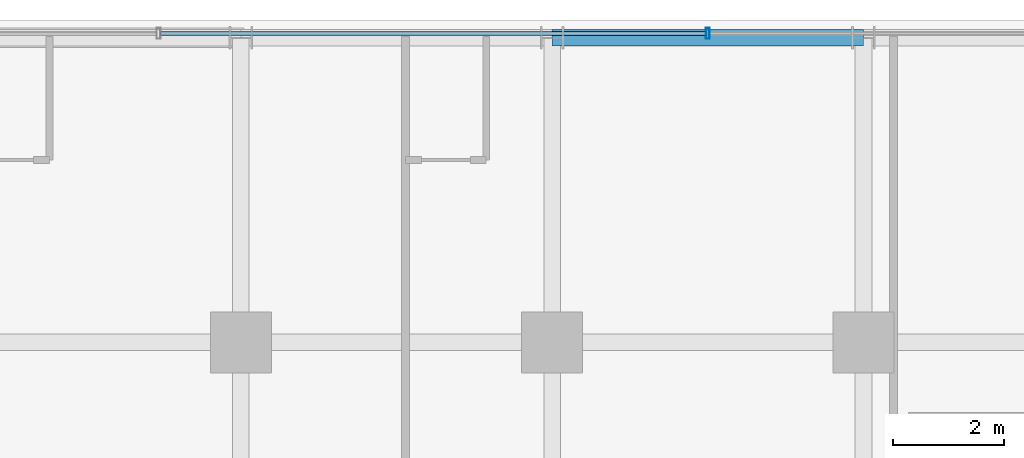
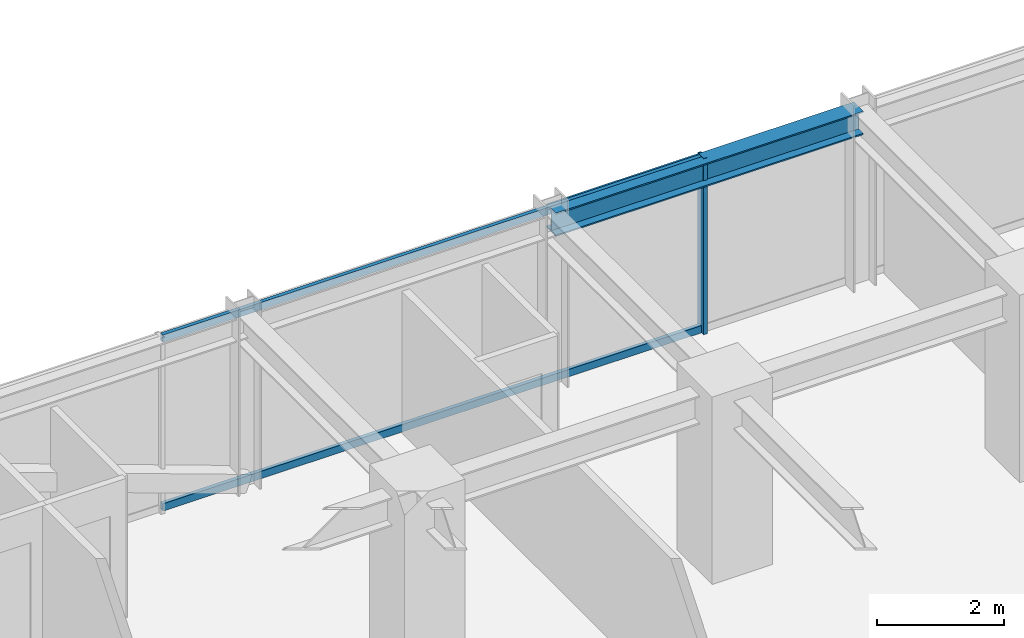
# One storey, part 24 of 38: 3 members, 1 beam, 1 element without a shape of its own.
"""IFC4 building model written with IfcOpenShell, lengths in metres."""

from ifc_helpers import new_model, si_unit, direction, frame, origin, origin_2d, place, context, subcontext, project, spatial, hollow_rectangle, i_section, extrude, source, transform, mapped, material, material_profile, profile_set, type_object, element, aggregate, save


model = new_model("IFC4")

# Units and contexts
model_context = context("Model", 3, precision=1e-05, world=origin(), true_north=direction((0.0, 1.0)))
body_context = subcontext(model_context, "Body", "Model", "MODEL_VIEW")
ifc_project = project(units=[si_unit("LENGTHUNIT", "METRE"), si_unit("AREAUNIT", "SQUARE_METRE"), si_unit("VOLUMEUNIT", "CUBIC_METRE"), si_unit("PLANEANGLEUNIT", "RADIAN"), si_unit("MASSUNIT", "GRAM", prefix="KILO")], contexts=[model_context])

# Site, building, storey
site_placement = place(None, origin())
site = spatial("IfcSite", under=ifc_project, at=site_placement, CompositionType="ELEMENT")
building_placement = place(site_placement, origin())
building = spatial("IfcBuilding", under=site, at=building_placement, Name="Nahalor Promenade Grand Hotel", CompositionType="ELEMENT")
storey_placement = place(building_placement, frame((0.0, 0.0, 163.60009765625)))
storey = spatial("IfcBuildingStorey", under=building, at=storey_placement, Name="L41", CompositionType="ELEMENT", Elevation=163.60009765625)

# Beam
ifc_material_1 = material(Name="Steel S355JR", Category="steel")
ifc_material_profile_1 = material_profile(ifc_material_1, i_section(OverallWidth=0.3, OverallDepth=0.45, WebThickness=0.014, FlangeThickness=0.026, at=origin_2d()), Name="HEB 450")
ifc_profile_set_1 = profile_set([ifc_material_profile_1], Name="Steel S355JR")
beam_type = type_object("IfcBeamType", Name="Beam-Spandrel-HEB450", PredefinedType="SPANDREL", material=ifc_profile_set_1)
shared_shape_1 = source(origin(), body_context, "Body", "SweptSolid", [
    extrude(i_section(OverallWidth=0.3, OverallDepth=0.45, WebThickness=0.014, FlangeThickness=0.026, at=origin_2d()), origin(), (0.0, 0.0, 1.0), 5.60009765625),
])
beam_placement = place(storey_placement, frame((-2.800048828125, 22.47998046875, 3.164794921875), z_axis=(1.0, 0.0, 0.0), x_axis=(0.0, 1.0, 0.0)))
element("IfcBeam", 1, at=beam_placement, inside=storey, type_object=beam_type, Name="BM-L41-SP-N-2", PredefinedType="SPANDREL", context=body_context, shape_type="MappedRepresentation", body=[
    mapped(shared_shape_1, transform((0.0, 0.0, 0.0), scale=1.0)),
])

# Curtain wall, members
ifc_material_2 = material(Name="Anodised Bronze Aluminium EN AW-6063 T6", Category="aluminium")
curtain_wall_type = type_object("IfcCurtainWallType", Name="CW3 Elliptical-Void Collar Unitised Curtain Wall", PredefinedType="USERDEFINED", material=ifc_material_2)
curtain_wall_placement = place(storey_placement, origin())
curtain_wall = element("IfcCurtainWall", 2, at=curtain_wall_placement, inside=storey, type_object=curtain_wall_type, Name="L41 Curtain Wall CW-L41-N-1", ObjectType="UNITISED_CURTAIN_WALL", PredefinedType="USERDEFINED")
ifc_material_profile_2 = material_profile(ifc_material_2, hollow_rectangle(XDim=0.07, YDim=0.14, WallThickness=0.004, at=origin_2d()), Name="CWT 70x140x4")
ifc_profile_set_2 = profile_set([ifc_material_profile_2], Name="Anodised Bronze Aluminium EN AW-6063 T6")
member_type_1 = type_object("IfcMemberType", Name="CWT3 Void Collar Transom 70x140", PredefinedType="USERDEFINED", material=ifc_profile_set_2)
shared_shape_2 = source(origin(), body_context, "Body", "SweptSolid", [
    extrude(hollow_rectangle(XDim=0.07, YDim=0.14, WallThickness=0.004, at=origin_2d()), origin(), (0.0, 0.0, 1.0), 9.81005859375),
])
member_1_placement = place(storey_placement, frame((-9.844970703125, 22.56005859375, 0.06982421875), z_axis=(1.0, 0.0, 0.0), x_axis=(0.0, 1.0, 0.0)))
member_1 = element("IfcMember", 3, at=member_1_placement, type_object=member_type_1, Name="CW-L41-N-1 Transom 1-0", ObjectType="TRANSOM", PredefinedType="USERDEFINED", context=body_context, shape_type="MappedRepresentation", body=[
    mapped(shared_shape_2, transform((0.0, 0.0, 0.0), scale=1.0)),
])
member_2_placement = place(storey_placement, frame((-9.844970703125, 22.56005859375, 3.31982421875), z_axis=(1.0, 0.0, 0.0), x_axis=(0.0, 1.0, 0.0)))
member_2 = element("IfcMember", 4, at=member_2_placement, type_object=member_type_1, Name="CW-L41-N-1 Transom 1-1", ObjectType="TRANSOM", PredefinedType="USERDEFINED", context=body_context, shape_type="MappedRepresentation", body=[
    mapped(shared_shape_2, transform((0.0, 0.0, 0.0), scale=1.0)),
])
ifc_material_profile_3 = material_profile(ifc_material_2, hollow_rectangle(XDim=0.07, YDim=0.2, WallThickness=0.005, at=origin_2d()), Name="CWM 70x200x5")
ifc_profile_set_3 = profile_set([ifc_material_profile_3], Name="Anodised Bronze Aluminium EN AW-6063 T6")
member_type_2 = type_object("IfcMemberType", Name="CWM3 Void Collar Mullion 70x200", PredefinedType="MULLION", material=ifc_profile_set_3)
shared_shape_3 = source(origin(), body_context, "Body", "SweptSolid", [
    extrude(hollow_rectangle(XDim=0.07, YDim=0.2, WallThickness=0.005, at=origin_2d()), origin(), (0.0, 0.0, 1.0), 3.389892578125),
])
member_3_placement = place(storey_placement, frame((0.0, 22.56005859375, 0.0), z_axis=(0.0, 0.0, 1.0), x_axis=(1.0, 0.0, 0.0)))
member_3 = element("IfcMember", 5, at=member_3_placement, type_object=member_type_2, Name="CW-L41-N-1 Mullion 2", PredefinedType="MULLION", context=body_context, shape_type="MappedRepresentation", body=[
    mapped(shared_shape_3, transform((0.0, 0.0, 0.0), scale=1.0)),
])
aggregate(curtain_wall, [member_3, member_1, member_2])

save(model, "model.ifc")
